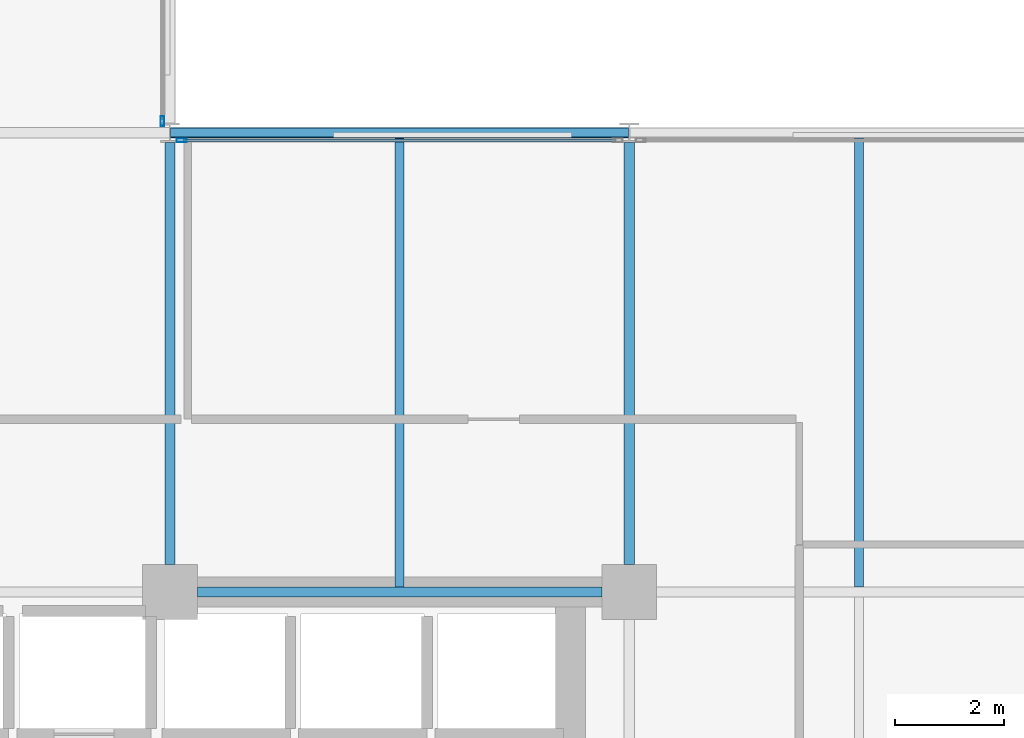
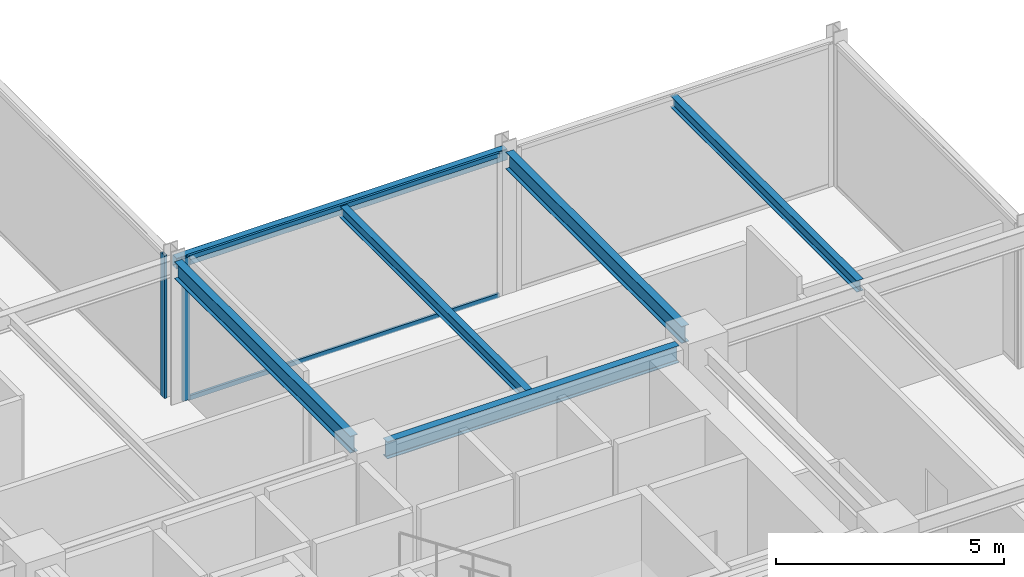
# One storey, part 14 of 29: 6 beams, 4 members, 2 elements without a shape of their own.
"""IFC4 building model written with IfcOpenShell, lengths in metres."""

from ifc_helpers import new_model, si_unit, direction, frame, origin, origin_2d, place, context, subcontext, project, spatial, hollow_rectangle, i_section, extrude, material, layer, layer_set, material_profile, profile_set, type_object, element, aggregate, save


model = new_model("IFC4")

# Units and contexts
model_context = context("Model", 3, precision=1e-05, world=origin(), true_north=direction((0.0, 1.0)))
body_context = subcontext(model_context, "Body", "Model", "MODEL_VIEW")
ifc_project = project(units=[si_unit("LENGTHUNIT", "METRE"), si_unit("AREAUNIT", "SQUARE_METRE"), si_unit("VOLUMEUNIT", "CUBIC_METRE"), si_unit("PLANEANGLEUNIT", "RADIAN"), si_unit("MASSUNIT", "GRAM", prefix="KILO")], contexts=[model_context])

# Site, building, storey
site_placement = place(None, origin())
site = spatial("IfcSite", under=ifc_project, at=site_placement, CompositionType="ELEMENT")
building_placement = place(site_placement, origin())
building = spatial("IfcBuilding", under=site, at=building_placement, Name="Nerrivon Quay Data Exchange", CompositionType="ELEMENT")
storey_placement = place(building_placement, frame((0.0, 0.0, 196.0)))
storey = spatial("IfcBuildingStorey", under=building, at=storey_placement, Name="L46", CompositionType="ELEMENT", Elevation=196.0)

# Beams
ifc_material_1 = material(Name="Steel Grade 350", Category="steel")
ifc_material_profile_1 = material_profile(ifc_material_1, i_section(OverallWidth=0.19091796875, OverallDepth=0.4599609375, WebThickness=0.010009765625, FlangeThickness=0.01611328125, FilletRadius=0.011474609375, at=origin_2d()), Name="460UB82.1")
ifc_profile_set_1 = profile_set([ifc_material_profile_1], Name="Steel Grade 350")
beam_type_1 = type_object("IfcBeamType", Name="BM-G5-460UB82", PredefinedType="BEAM", material=ifc_profile_set_1)
beam_1_placement = place(storey_placement, frame((25.699951171875, 16.800048828125, 3.594970703125), z_axis=(1.0, 0.0, 0.0), x_axis=(0.0, 1.0, 0.0)))
element("IfcBeam", 1, at=beam_1_placement, inside=storey, type_object=beam_type_1, Name="L46 EW Girder Y=16.8 (25.2..33.6)", PredefinedType="BEAM", context=body_context, shape_type="SweptSolid", body=[
    extrude(i_section(OverallWidth=0.19091796875, OverallDepth=0.4599609375, WebThickness=0.010009765625, FlangeThickness=0.01611328125, FilletRadius=0.011474609375, at=origin_2d()), origin(), (0.0, 0.0, 1.0), 7.400146484375),
])
ifc_material_profile_2 = material_profile(ifc_material_1, i_section(OverallWidth=0.18994140625, OverallDepth=0.4541015625, WebThickness=0.008544921875, FlangeThickness=0.0126953125, FilletRadius=0.011474609375, at=origin_2d()), Name="460UB67.1")
ifc_profile_set_2 = profile_set([ifc_material_profile_2], Name="Steel Grade 350")
beam_type_2 = type_object("IfcBeamType", Name="BM-G6-460UB67", PredefinedType="BEAM", material=ifc_profile_set_2)
for number, where, z_axis, x_axis, name in (
    (2, (25.199951171875, 17.300048828125, 3.597900390625), (0.0, 1.0, 0.0), (-1.0, 0.0, 0.0), "L46 NS Girder X=25.2 (16.8..25.2)"),
    (3, (33.60009765625, 17.300048828125, 3.597900390625), (0.0, 1.0, 0.0), (-1.0, 0.0, 0.0), "L46 NS Girder X=33.6 (16.8..25.2)"),
):
    element("IfcBeam", number, at=place(storey_placement, frame(where, z_axis=z_axis, x_axis=x_axis)), inside=storey, type_object=beam_type_2, Name=name, PredefinedType="BEAM", context=body_context, shape_type="SweptSolid", body=[
        extrude(i_section(OverallWidth=0.18994140625, OverallDepth=0.4541015625, WebThickness=0.008544921875, FlangeThickness=0.0126953125, FilletRadius=0.011474609375, at=origin_2d()), origin(), (0.0, 0.0, 1.0), 7.724853515625),
    ])
ifc_material_profile_3 = material_profile(ifc_material_1, i_section(OverallWidth=0.166015625, OverallDepth=0.306884765625, WebThickness=0.006591796875, FlangeThickness=0.01171875, FilletRadius=0.011474609375, at=origin_2d()), Name="310UB46.2")
ifc_profile_set_3 = profile_set([ifc_material_profile_3], Name="Steel Grade 350")
beam_type_3 = type_object("IfcBeamType", Name="BM-J5-310UB46", PredefinedType="JOIST", material=ifc_profile_set_3)
for number, where, z_axis, x_axis, name in (
    (4, (29.39990234375, 16.8955078125, 3.67138671875), (0.0, 1.0, 0.0), (-1.0, 0.0, 0.0), "L46 Secondary Joist X=29.4 (16.8..25.2)"),
    (5, (37.800048828125, 16.8955078125, 3.67138671875), (0.0, 1.0, 0.0), (-1.0, 0.0, 0.0), "L46 Secondary Joist X=37.8 (16.8..25.2)"),
):
    element("IfcBeam", number, at=place(storey_placement, frame(where, z_axis=z_axis, x_axis=x_axis)), inside=storey, type_object=beam_type_3, Name=name, PredefinedType="JOIST", context=body_context, shape_type="SweptSolid", body=[
        extrude(i_section(OverallWidth=0.166015625, OverallDepth=0.306884765625, WebThickness=0.006591796875, FlangeThickness=0.01171875, FilletRadius=0.011474609375, at=origin_2d()), origin(), (0.0, 0.0, 1.0), 8.20458984375),
    ])
ifc_material_2 = material(Name="Steel Grade C350L0 (350 MPa)", Category="steel")
ifc_material_profile_4 = material_profile(ifc_material_2, hollow_rectangle(XDim=0.199951171875, YDim=0.300048828125, WallThickness=0.012451171875, InnerFilletRadius=0.018798828125, OuterFilletRadius=0.03125, at=origin_2d()), Name="300x200x12.5RHS")
ifc_profile_set_4 = profile_set([ifc_material_profile_4], Name="Steel Grade C350L0 (350 MPa)")
beam_type_4 = type_object("IfcBeamType", Name="BM-SP3-300x200RHS", PredefinedType="SPANDREL", material=ifc_profile_set_4)
beam_2_placement = place(storey_placement, frame((25.2099609375, 25.199951171875, 3.675048828125), z_axis=(1.0, 0.0, 0.0), x_axis=(0.0, 1.0, 0.0)))
element("IfcBeam", 6, at=beam_2_placement, inside=storey, type_object=beam_type_4, Name="L46 EW Girder Y=25.2 (25.2..33.6)", PredefinedType="SPANDREL", context=body_context, shape_type="SweptSolid", body=[
    extrude(hollow_rectangle(XDim=0.199951171875, YDim=0.300048828125, WallThickness=0.012451171875, InnerFilletRadius=0.018798828125, OuterFilletRadius=0.03125, at=origin_2d()), origin(), (0.0, 0.0, 1.0), 8.380126953125),
])

# Curtain wall, member
ifc_material_3 = material(Name="Anodised aluminium 6063-T6", Category="aluminium")
ifc_layer = layer(ifc_material_3, 0.195068359375)
ifc_layer_set = layer_set([ifc_layer], Name="Anodised aluminium 6063-T6")
curtain_wall_type = type_object("IfcCurtainWallType", Name="CW-SYS-06", PredefinedType="NOTDEFINED", material=ifc_layer_set)
curtain_wall_1_placement = place(storey_placement, origin())
curtain_wall_1 = element("IfcCurtainWall", 7, at=curtain_wall_1_placement, inside=storey, type_object=curtain_wall_type, Name="L46 Unitised Curtain Wall 15", PredefinedType="NOTDEFINED")
ifc_material_profile_5 = material_profile(ifc_material_3, hollow_rectangle(XDim=0.06494140625, YDim=0.179931640625, WallThickness=0.00341796875, at=origin_2d()), Name="ALU-MULL-180x65")
ifc_profile_set_5 = profile_set([ifc_material_profile_5], Name="Anodised aluminium 6063-T6")
member_type_1 = type_object("IfcMemberType", Name="CWM-180x65", PredefinedType="MULLION", material=ifc_profile_set_5)
member_1_placement = place(storey_placement, frame((25.06005859375, 25.41259765625, 0.0), z_axis=(0.0, 0.0, 1.0), x_axis=(1.0, 0.0, 0.0)))
member_1 = element("IfcMember", 8, at=member_1_placement, type_object=member_type_1, Name="CW06 mullion 2", PredefinedType="MULLION", context=body_context, shape_type="SweptSolid", body=[
    extrude(hollow_rectangle(XDim=0.06494140625, YDim=0.179931640625, WallThickness=0.00341796875, at=origin_2d()), origin(), (0.0, 0.0, 1.0), 3.824951171875),
])
aggregate(curtain_wall_1, [member_1])

# Curtain wall, members
curtain_wall_2_placement = place(storey_placement, origin())
curtain_wall_2 = element("IfcCurtainWall", 9, at=curtain_wall_2_placement, inside=storey, type_object=curtain_wall_type, Name="L46 Unitised Curtain Wall 16", PredefinedType="NOTDEFINED")
member_2_placement = place(storey_placement, frame((25.41259765625, 25.06005859375, 0.0), z_axis=(0.0, 0.0, 1.0), x_axis=(0.0, 1.0, 0.0)))
member_2 = element("IfcMember", 10, at=member_2_placement, type_object=member_type_1, Name="CW06 mullion 1", PredefinedType="MULLION", context=body_context, shape_type="SweptSolid", body=[
    extrude(hollow_rectangle(XDim=0.06494140625, YDim=0.179931640625, WallThickness=0.00341796875, at=origin_2d()), origin(), (0.0, 0.0, 1.0), 3.824951171875),
])
ifc_material_profile_6 = material_profile(ifc_material_3, hollow_rectangle(XDim=0.06005859375, YDim=0.1201171875, WallThickness=0.003173828125, at=origin_2d()), Name="ALU-TRAN-120x60")
ifc_profile_set_6 = profile_set([ifc_material_profile_6], Name="Anodised aluminium 6063-T6")
member_type_2 = type_object("IfcMemberType", Name="CWT-120x60", PredefinedType="USERDEFINED", material=ifc_profile_set_6)
member_3_placement = place(storey_placement, frame((25.449951171875, 25.06005859375, 0.032470703125), z_axis=(1.0, 0.0, 0.0), x_axis=(0.0, 1.0, 0.0)))
member_3 = element("IfcMember", 11, at=member_3_placement, type_object=member_type_2, Name="CW06 transom 1.1", ObjectType="TRANSOM", PredefinedType="USERDEFINED", context=body_context, shape_type="SweptSolid", body=[
    extrude(hollow_rectangle(XDim=0.06005859375, YDim=0.1201171875, WallThickness=0.003173828125, at=origin_2d()), origin(), (0.0, 0.0, 1.0), 7.900146484375),
])
member_4_placement = place(storey_placement, frame((25.449951171875, 25.06005859375, 3.79248046875), z_axis=(1.0, 0.0, 0.0), x_axis=(0.0, 1.0, 0.0)))
member_4 = element("IfcMember", 12, at=member_4_placement, type_object=member_type_2, Name="CW06 transom 1.2", ObjectType="TRANSOM", PredefinedType="USERDEFINED", context=body_context, shape_type="SweptSolid", body=[
    extrude(hollow_rectangle(XDim=0.06005859375, YDim=0.1201171875, WallThickness=0.003173828125, at=origin_2d()), origin(), (0.0, 0.0, 1.0), 7.900146484375),
])
aggregate(curtain_wall_2, [member_2, member_3, member_4])

save(model, "model.ifc")
